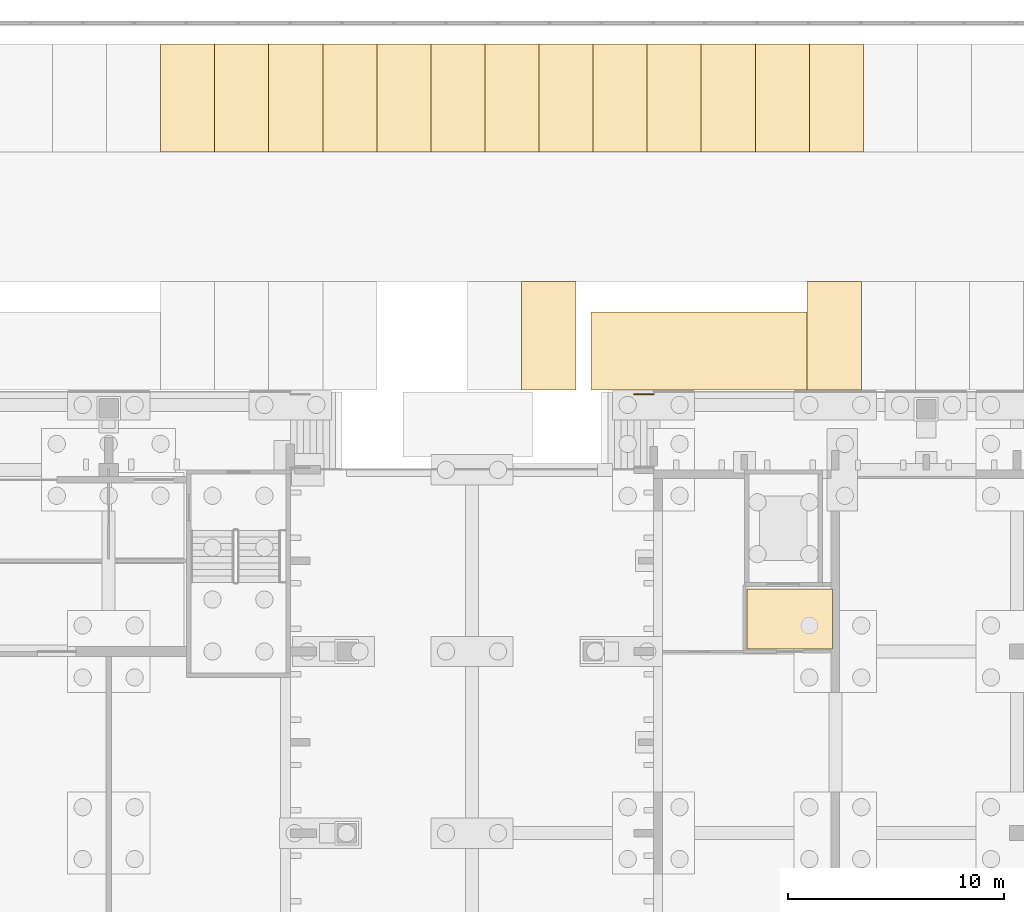
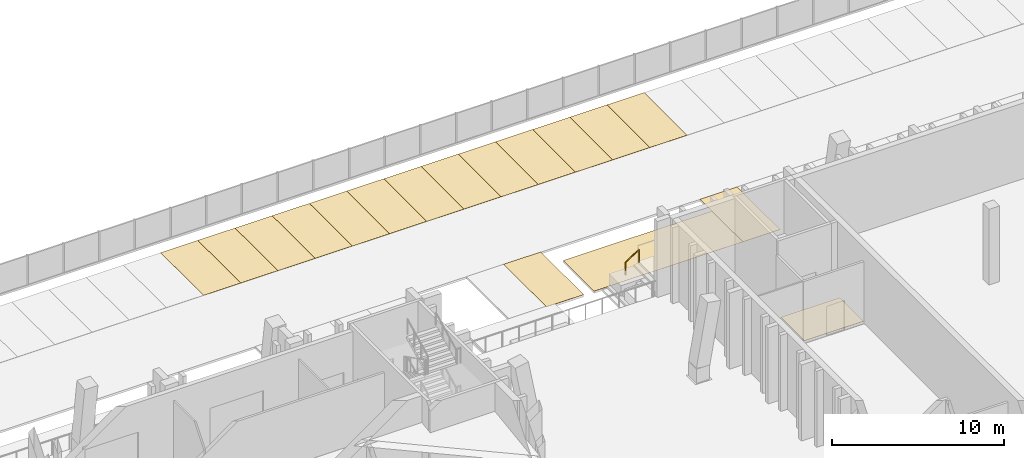
# One storey, part 121 of 129: 17 coverings, 1 railing.
"""IFC4 building model written with IfcOpenShell, lengths in metres."""

from ifc_helpers import new_model, si_unit, direction, frame, origin, origin_2d, place, context, subcontext, project, spatial, polyline, circle, outline, extrude, material, layer, layer_set, type_object, element, save


model = new_model("IFC4")

# Units and contexts
model_context = context("Model", 3, precision=1e-05, world=origin(), true_north=direction((0.0, 1.0)))
body_context = subcontext(model_context, "Body", "Model", "MODEL_VIEW")
ifc_project = project(units=[si_unit("LENGTHUNIT", "METRE"), si_unit("AREAUNIT", "SQUARE_METRE"), si_unit("VOLUMEUNIT", "CUBIC_METRE"), si_unit("PLANEANGLEUNIT", "RADIAN"), si_unit("MASSUNIT", "GRAM", prefix="KILO")], contexts=[model_context])

# Site, building, storey
site_placement = place(None, origin())
site = spatial("IfcSite", under=ifc_project, at=site_placement, CompositionType="ELEMENT")
building_placement = place(site_placement, origin())
building = spatial("IfcBuilding", under=site, at=building_placement, Name="Kiln Court Media Centre", CompositionType="ELEMENT")
storey_placement = place(building_placement, origin())
storey = spatial("IfcBuildingStorey", under=building, at=storey_placement, Name="L00", CompositionType="ELEMENT", Elevation=0.0)

# Covering
ifc_material_1 = material(Name="Terrazzo")
ifc_layer_1 = layer(ifc_material_1, 0.02490234375)
ifc_layer_set_1 = layer_set([ifc_layer_1], Name="Polished terrazzo floor finish 25")
covering_type_1 = type_object("IfcCoveringType", Name="Polished terrazzo floor finish 25", PredefinedType="FLOORING", material=ifc_layer_set_1)
covering_1_placement = place(storey_placement, origin())
element("IfcCovering", 1, at=covering_1_placement, inside=storey, type_object=covering_type_1, Name="Fire-fighting Lift Lobby floor finish", PredefinedType="FLOORING", context=body_context, shape_type="SweptSolid", body=[
    extrude(outline(polyline([(121.919921875, 58.919921875), (125.8798828125, 58.919921875), (125.8798828125, 61.679931640625), (121.919921875, 61.679931640625), (121.919921875, 58.919921875)])), origin(), (0.0, 0.0, 1.0), 0.02490234375),
])

# Railing
ifc_material_2 = material(Name="Steel ASTM A572 Gr 50", Category="steel")
railing_type = type_object("IfcRailingType", Name="Steel handrail 900", PredefinedType="HANDRAIL", material=ifc_material_2)
railing_placement = place(storey_placement, frame((116.699951171875, 70.699951171875, -0.60009765625)))
element("IfcRailing", 2, at=railing_placement, inside=storey, type_object=railing_type, Name="Steps handrail", PredefinedType="HANDRAIL", context=body_context, shape_type="SweptSolid", body=[
    extrude(circle(Radius=0.02392578125, at=origin_2d()), frame((0.0, 0.0, 0.8759765625), z_axis=(0.832050294338, 0.0, 0.554700196225), x_axis=(0.0, 1.0, 0.0)), (0.0, 0.0, 1.0), 1.081787109375),
    extrude(circle(Radius=0.02099609375, at=origin_2d()), origin(), (0.0, 0.0, 1.0), 0.851806640625),
    extrude(circle(Radius=0.02099609375, at=origin_2d()), frame((0.900146484375, 0.0, 0.60009765625)), (0.0, 0.0, 1.0), 0.851806640625),
])

# Coverings
ifc_material_3 = material(Name="Thermoplastic road marking", Category="coating")
ifc_layer_2 = layer(ifc_material_3, 0.010009765625)
ifc_layer_set_2 = layer_set([ifc_layer_2], Name="Thermoplastic loading bay marking 10000x3600")
covering_type_2 = type_object("IfcCoveringType", Name="Thermoplastic loading bay marking 10000x3600", PredefinedType="FLOORING", material=ifc_layer_set_2)
covering_2_placement = place(storey_placement, frame((0.0, 0.0, -1.199951171875)))
element("IfcCovering", 3, at=covering_2_placement, inside=storey, type_object=covering_type_2, Name="Loading bay LB-4", PredefinedType="FLOORING", context=body_context, shape_type="SweptSolid", body=[
    extrude(outline(polyline([(114.699951171875, 70.89990234375), (124.699951171875, 70.89990234375), (124.699951171875, 74.5), (114.699951171875, 74.5), (114.699951171875, 70.89990234375)])), origin(), (0.0, 0.0, 1.0), 0.010009765625),
])
ifc_material_4 = material(Name="Thermoplastic road marking", Category="coating")
ifc_layer_3 = layer(ifc_material_4, 0.010009765625)
ifc_layer_set_3 = layer_set([ifc_layer_3], Name="Thermoplastic standard car bay marking 2500x5000")
covering_type_3 = type_object("IfcCoveringType", Name="Thermoplastic standard car bay marking 2500x5000", PredefinedType="FLOORING", material=ifc_layer_set_3)
covering_3_placement = place(storey_placement, frame((0.0, 0.0, -1.199951171875)))
element("IfcCovering", 4, at=covering_3_placement, inside=storey, type_object=covering_type_3, Name="Car bay P037", PredefinedType="FLOORING", context=body_context, shape_type="SweptSolid", body=[
    extrude(outline(polyline([(94.800048828125, 81.89990234375), (97.300048828125, 81.89990234375), (97.300048828125, 86.89990234375), (94.800048828125, 86.89990234375), (94.800048828125, 81.89990234375)])), origin(), (0.0, 0.0, 1.0), 0.010009765625),
])
covering_4_placement = place(storey_placement, frame((0.0, 0.0, -1.199951171875)))
element("IfcCovering", 5, at=covering_4_placement, inside=storey, type_object=covering_type_3, Name="Car bay P038", PredefinedType="FLOORING", context=body_context, shape_type="SweptSolid", body=[
    extrude(outline(polyline([(97.300048828125, 81.89990234375), (99.800048828125, 81.89990234375), (99.800048828125, 86.89990234375), (97.300048828125, 86.89990234375), (97.300048828125, 81.89990234375)])), origin(), (0.0, 0.0, 1.0), 0.010009765625),
])
covering_5_placement = place(storey_placement, frame((0.0, 0.0, -1.199951171875)))
element("IfcCovering", 6, at=covering_5_placement, inside=storey, type_object=covering_type_3, Name="Car bay P039", PredefinedType="FLOORING", context=body_context, shape_type="SweptSolid", body=[
    extrude(outline(polyline([(99.800048828125, 81.89990234375), (102.300048828125, 81.89990234375), (102.300048828125, 86.89990234375), (99.800048828125, 86.89990234375), (99.800048828125, 81.89990234375)])), origin(), (0.0, 0.0, 1.0), 0.010009765625),
])
covering_6_placement = place(storey_placement, frame((0.0, 0.0, -1.199951171875)))
element("IfcCovering", 7, at=covering_6_placement, inside=storey, type_object=covering_type_3, Name="Car bay P040", PredefinedType="FLOORING", context=body_context, shape_type="SweptSolid", body=[
    extrude(outline(polyline([(102.300048828125, 81.89990234375), (104.800048828125, 81.89990234375), (104.800048828125, 86.89990234375), (102.300048828125, 86.89990234375), (102.300048828125, 81.89990234375)])), origin(), (0.0, 0.0, 1.0), 0.010009765625),
])
covering_7_placement = place(storey_placement, frame((0.0, 0.0, -1.199951171875)))
element("IfcCovering", 8, at=covering_7_placement, inside=storey, type_object=covering_type_3, Name="Car bay P041", PredefinedType="FLOORING", context=body_context, shape_type="SweptSolid", body=[
    extrude(outline(polyline([(104.800048828125, 81.89990234375), (107.300048828125, 81.89990234375), (107.300048828125, 86.89990234375), (104.800048828125, 86.89990234375), (104.800048828125, 81.89990234375)])), origin(), (0.0, 0.0, 1.0), 0.010009765625),
])
covering_8_placement = place(storey_placement, frame((0.0, 0.0, -1.199951171875)))
element("IfcCovering", 9, at=covering_8_placement, inside=storey, type_object=covering_type_3, Name="Car bay P042", PredefinedType="FLOORING", context=body_context, shape_type="SweptSolid", body=[
    extrude(outline(polyline([(107.300048828125, 81.89990234375), (109.800048828125, 81.89990234375), (109.800048828125, 86.89990234375), (107.300048828125, 86.89990234375), (107.300048828125, 81.89990234375)])), origin(), (0.0, 0.0, 1.0), 0.010009765625),
])
covering_9_placement = place(storey_placement, frame((0.0, 0.0, -1.199951171875)))
element("IfcCovering", 10, at=covering_9_placement, inside=storey, type_object=covering_type_3, Name="Car bay P043", PredefinedType="FLOORING", context=body_context, shape_type="SweptSolid", body=[
    extrude(outline(polyline([(109.800048828125, 81.89990234375), (112.300048828125, 81.89990234375), (112.300048828125, 86.89990234375), (109.800048828125, 86.89990234375), (109.800048828125, 81.89990234375)])), origin(), (0.0, 0.0, 1.0), 0.010009765625),
])
covering_10_placement = place(storey_placement, frame((0.0, 0.0, -1.199951171875)))
element("IfcCovering", 11, at=covering_10_placement, inside=storey, type_object=covering_type_3, Name="Car bay P044", PredefinedType="FLOORING", context=body_context, shape_type="SweptSolid", body=[
    extrude(outline(polyline([(112.300048828125, 81.89990234375), (114.800048828125, 81.89990234375), (114.800048828125, 86.89990234375), (112.300048828125, 86.89990234375), (112.300048828125, 81.89990234375)])), origin(), (0.0, 0.0, 1.0), 0.010009765625),
])
covering_11_placement = place(storey_placement, frame((0.0, 0.0, -1.199951171875)))
element("IfcCovering", 12, at=covering_11_placement, inside=storey, type_object=covering_type_3, Name="Car bay P045", PredefinedType="FLOORING", context=body_context, shape_type="SweptSolid", body=[
    extrude(outline(polyline([(114.800048828125, 81.89990234375), (117.300048828125, 81.89990234375), (117.300048828125, 86.89990234375), (114.800048828125, 86.89990234375), (114.800048828125, 81.89990234375)])), origin(), (0.0, 0.0, 1.0), 0.010009765625),
])
covering_12_placement = place(storey_placement, frame((0.0, 0.0, -1.199951171875)))
element("IfcCovering", 13, at=covering_12_placement, inside=storey, type_object=covering_type_3, Name="Car bay P046", PredefinedType="FLOORING", context=body_context, shape_type="SweptSolid", body=[
    extrude(outline(polyline([(117.300048828125, 81.89990234375), (119.800048828125, 81.89990234375), (119.800048828125, 86.89990234375), (117.300048828125, 86.89990234375), (117.300048828125, 81.89990234375)])), origin(), (0.0, 0.0, 1.0), 0.010009765625),
])
covering_13_placement = place(storey_placement, frame((0.0, 0.0, -1.199951171875)))
element("IfcCovering", 14, at=covering_13_placement, inside=storey, type_object=covering_type_3, Name="Car bay P047", PredefinedType="FLOORING", context=body_context, shape_type="SweptSolid", body=[
    extrude(outline(polyline([(119.800048828125, 81.89990234375), (122.300048828125, 81.89990234375), (122.300048828125, 86.89990234375), (119.800048828125, 86.89990234375), (119.800048828125, 81.89990234375)])), origin(), (0.0, 0.0, 1.0), 0.010009765625),
])
covering_14_placement = place(storey_placement, frame((0.0, 0.0, -1.199951171875)))
element("IfcCovering", 15, at=covering_14_placement, inside=storey, type_object=covering_type_3, Name="Car bay P048", PredefinedType="FLOORING", context=body_context, shape_type="SweptSolid", body=[
    extrude(outline(polyline([(122.300048828125, 81.89990234375), (124.800048828125, 81.89990234375), (124.800048828125, 86.89990234375), (122.300048828125, 86.89990234375), (122.300048828125, 81.89990234375)])), origin(), (0.0, 0.0, 1.0), 0.010009765625),
])
covering_15_placement = place(storey_placement, frame((0.0, 0.0, -1.199951171875)))
element("IfcCovering", 16, at=covering_15_placement, inside=storey, type_object=covering_type_3, Name="Car bay P049", PredefinedType="FLOORING", context=body_context, shape_type="SweptSolid", body=[
    extrude(outline(polyline([(124.800048828125, 81.89990234375), (127.300048828125, 81.89990234375), (127.300048828125, 86.89990234375), (124.800048828125, 86.89990234375), (124.800048828125, 81.89990234375)])), origin(), (0.0, 0.0, 1.0), 0.010009765625),
])
covering_16_placement = place(storey_placement, frame((0.0, 0.0, -1.199951171875)))
element("IfcCovering", 17, at=covering_16_placement, inside=storey, type_object=covering_type_3, Name="Car bay P081", PredefinedType="FLOORING", context=body_context, shape_type="SweptSolid", body=[
    extrude(outline(polyline([(111.5, 70.89990234375), (114.0, 70.89990234375), (114.0, 75.89990234375), (111.5, 75.89990234375), (111.5, 70.89990234375)])), origin(), (0.0, 0.0, 1.0), 0.010009765625),
])
covering_17_placement = place(storey_placement, frame((0.0, 0.0, -1.199951171875)))
element("IfcCovering", 18, at=covering_17_placement, inside=storey, type_object=covering_type_3, Name="Car bay P082", PredefinedType="FLOORING", context=body_context, shape_type="SweptSolid", body=[
    extrude(outline(polyline([(124.699951171875, 70.89990234375), (127.199951171875, 70.89990234375), (127.199951171875, 75.89990234375), (124.699951171875, 75.89990234375), (124.699951171875, 70.89990234375)])), origin(), (0.0, 0.0, 1.0), 0.010009765625),
])

save(model, "model.ifc")
